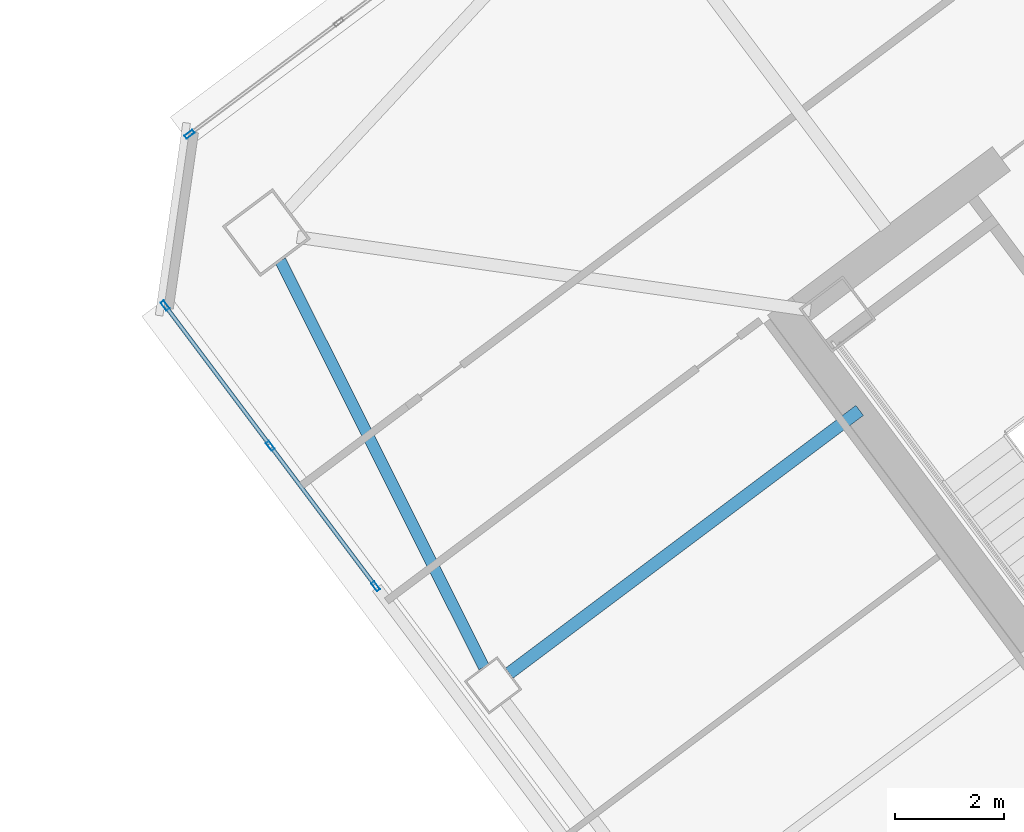
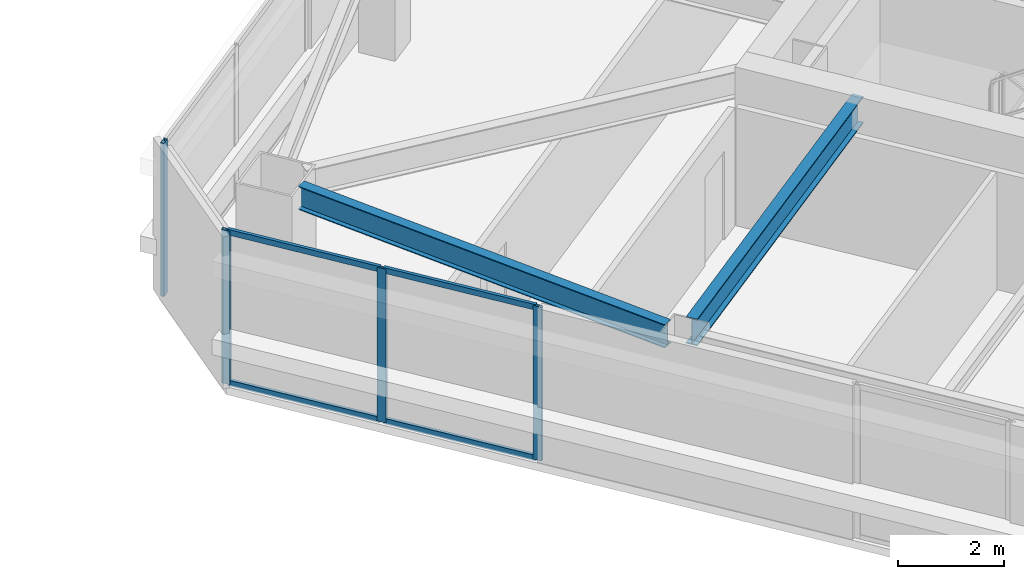
# One storey, part 22 of 44: 8 members, 2 beams, 2 elements without a shape of their own.
"""IFC4 building model written with IfcOpenShell, lengths in metres."""

from ifc_helpers import new_model, si_unit, direction, frame, origin, origin_2d, place, context, subcontext, project, spatial, hollow_rectangle, i_section, extrude, material, material_profile, profile_set, type_object, element, aggregate, save


model = new_model("IFC4")

# Units and contexts
model_context = context("Model", 3, precision=1e-05, world=origin(), true_north=direction((0.0, 1.0)))
body_context = subcontext(model_context, "Body", "Model", "MODEL_VIEW")
ifc_project = project(units=[si_unit("LENGTHUNIT", "METRE"), si_unit("AREAUNIT", "SQUARE_METRE"), si_unit("VOLUMEUNIT", "CUBIC_METRE"), si_unit("PLANEANGLEUNIT", "RADIAN"), si_unit("MASSUNIT", "GRAM", prefix="KILO")], contexts=[model_context])

# Site, building, storey
site_placement = place(None, origin())
site = spatial("IfcSite", under=ifc_project, at=site_placement, CompositionType="ELEMENT")
building_placement = place(site_placement, origin())
building = spatial("IfcBuilding", under=site, at=building_placement, Name="Tashvorn Skyway Center", CompositionType="ELEMENT")
storey_placement = place(building_placement, frame((0.0, 0.0, 181.85009765625)))
storey = spatial("IfcBuildingStorey", under=building, at=storey_placement, Name="L49", CompositionType="ELEMENT", Elevation=181.85009765625)

# Beams
ifc_material_1 = material(Name="Steel ASTM A992 Grade 50", Category="steel")
ifc_material_profile_1 = material_profile(ifc_material_1, i_section(OverallWidth=0.22998046875, OverallDepth=0.616943359375, WebThickness=0.01318359375, FlangeThickness=0.022216796875, at=origin_2d()), Name="W24X94")
ifc_profile_set_1 = profile_set([ifc_material_profile_1], Name="Steel ASTM A992 Grade 50")
beam_type_1 = type_object("IfcBeamType", Name="BM-BEAM-W24X94", PredefinedType="BEAM", material=ifc_profile_set_1)
beam_1_placement = place(storey_placement, frame((98.135986328125, 26.85205078125, 3.0615234375), z_axis=(0.799992675677, 0.60000976564, 0.0), x_axis=(-0.60000976564, 0.799992675677, 0.0)))
element("IfcBeam", 1, at=beam_1_placement, inside=storey, type_object=beam_type_1, Name="Tower 2 L49 Primary Floor Girder FC-W1", PredefinedType="BEAM", context=body_context, shape_type="SweptSolid", body=[
    extrude(i_section(OverallWidth=0.22998046875, OverallDepth=0.616943359375, WebThickness=0.01318359375, FlangeThickness=0.022216796875, at=origin_2d()), origin(), (0.0, 0.0, 1.0), 8.0),
])
ifc_material_profile_2 = material_profile(ifc_material_1, i_section(OverallWidth=0.2109375, OverallDepth=0.5390625, WebThickness=0.01171875, FlangeThickness=0.018798828125, at=origin_2d()), Name="W21X73")
ifc_profile_set_2 = profile_set([ifc_material_profile_2], Name="Steel ASTM A992 Grade 50")
beam_type_2 = type_object("IfcBeamType", Name="BM-SPANDREL-W21X73", PredefinedType="SPANDREL", material=ifc_profile_set_2)
beam_2_placement = place(storey_placement, frame((93.955078125, 34.390380859375, 3.100341796875), z_axis=(0.447648438059, -0.894209637559, 0.0), x_axis=(0.894209637559, 0.447648438059, 0.0)))
element("IfcBeam", 2, at=beam_2_placement, inside=storey, type_object=beam_type_2, Name="Tower 2 L49 Spandrel Beam 10", PredefinedType="SPANDREL", context=body_context, shape_type="SweptSolid", body=[
    extrude(i_section(OverallWidth=0.2109375, OverallDepth=0.5390625, WebThickness=0.01171875, FlangeThickness=0.018798828125, at=origin_2d()), origin(), (0.0, 0.0, 1.0), 8.308349609375),
])

# Curtain wall, members
ifc_material_2 = material(Name="Thermally broken bronze-anodized aluminium 6063-T6", Category="aluminium")
curtain_wall_type = type_object("IfcCurtainWallType", Name="CW-CW-Z4", PredefinedType="NOTDEFINED", material=ifc_material_2)
curtain_wall_1_placement = place(storey_placement, origin())
curtain_wall_1 = element("IfcCurtainWall", 3, at=curtain_wall_1_placement, inside=storey, type_object=curtain_wall_type, Name="Tower 2 L49 West Unitised Curtain Wall Glazing Group 3", PredefinedType="NOTDEFINED")
ifc_material_profile_3 = material_profile(ifc_material_2, hollow_rectangle(XDim=0.070068359375, YDim=0.179931640625, WallThickness=0.00390625, at=origin_2d()), Name="ALU-MULL-70x180")
ifc_profile_set_3 = profile_set([ifc_material_profile_3], Name="Thermally broken bronze-anodized aluminium 6063-T6")
member_type_1 = type_object("IfcMemberType", Name="CWM-CW-Z4", PredefinedType="MULLION", material=ifc_profile_set_3)
member_1_placement = place(storey_placement, frame((95.695068359375, 28.43994140625, 0.0), z_axis=(0.0, 0.0, 1.0), x_axis=(-0.799999999998, -0.600000000002, 0.0)))
member_1 = element("IfcMember", 4, at=member_1_placement, type_object=member_type_1, Name="CW-Z4 mullion 1", PredefinedType="MULLION", context=body_context, shape_type="SweptSolid", body=[
    extrude(hollow_rectangle(XDim=0.070068359375, YDim=0.179931640625, WallThickness=0.00390625, at=origin_2d()), origin(), (0.0, 0.0, 1.0), 3.5498046875),
])
member_2_placement = place(storey_placement, frame((93.77197265625, 31.00390625, 0.0), z_axis=(0.0, 0.0, 1.0), x_axis=(-0.799999999998, -0.600000000002, 0.0)))
member_2 = element("IfcMember", 5, at=member_2_placement, type_object=member_type_1, Name="CW-Z4 mullion 2", PredefinedType="MULLION", context=body_context, shape_type="SweptSolid", body=[
    extrude(hollow_rectangle(XDim=0.070068359375, YDim=0.179931640625, WallThickness=0.00390625, at=origin_2d()), origin(), (0.0, 0.0, 1.0), 3.5498046875),
])
member_3_placement = place(storey_placement, frame((91.84912109375, 33.568115234375, 0.0), z_axis=(0.0, 0.0, 1.0), x_axis=(-0.799999999998, -0.600000000002, 0.0)))
member_3 = element("IfcMember", 6, at=member_3_placement, type_object=member_type_1, Name="CW-Z4 mullion 3", PredefinedType="MULLION", context=body_context, shape_type="SweptSolid", body=[
    extrude(hollow_rectangle(XDim=0.070068359375, YDim=0.179931640625, WallThickness=0.00390625, at=origin_2d()), origin(), (0.0, 0.0, 1.0), 3.5498046875),
])

# Curtain wall, member
curtain_wall_2_placement = place(storey_placement, origin())
curtain_wall_2 = element("IfcCurtainWall", 7, at=curtain_wall_2_placement, inside=storey, type_object=curtain_wall_type, Name="Tower 2 L49 North Curtain Wall L Glazing Group 1", PredefinedType="NOTDEFINED")
member_4_placement = place(storey_placement, frame((92.2958984375, 36.697021484375, 0.0), z_axis=(0.0, 0.0, 1.0), x_axis=(-0.60000232334, 0.79999825749, 0.0)))
member_4 = element("IfcMember", 8, at=member_4_placement, type_object=member_type_1, Name="CW-Z4 mullion 1", PredefinedType="MULLION", context=body_context, shape_type="SweptSolid", body=[
    extrude(hollow_rectangle(XDim=0.070068359375, YDim=0.179931640625, WallThickness=0.00390625, at=origin_2d()), origin(), (0.0, 0.0, 1.0), 3.5498046875),
])
aggregate(curtain_wall_2, [member_4])

# Member
ifc_material_profile_4 = material_profile(ifc_material_2, hollow_rectangle(XDim=0.070068359375, YDim=0.1298828125, WallThickness=0.00390625, at=origin_2d()), Name="ALU-TRAN-70x130")
ifc_profile_set_4 = profile_set([ifc_material_profile_4], Name="Thermally broken bronze-anodized aluminium 6063-T6")
member_type_2 = type_object("IfcMemberType", Name="CWT-CW-Z4", PredefinedType="USERDEFINED", material=ifc_profile_set_4)
member_5_placement = place(storey_placement, frame((95.674072265625, 28.468017578125, 0.034912109375), z_axis=(-0.600012459628, 0.799990655127, 0.0), x_axis=(-0.799990655127, -0.600012459628, 0.0)))
member_5 = element("IfcMember", 9, at=member_5_placement, type_object=member_type_2, Name="CW-Z4 transom 1.1", ObjectType="TRANSOM", PredefinedType="USERDEFINED", context=body_context, shape_type="SweptSolid", body=[
    extrude(hollow_rectangle(XDim=0.070068359375, YDim=0.1298828125, WallThickness=0.00390625, at=origin_2d()), origin(), (0.0, 0.0, 1.0), 3.135009765625),
])

member_6_placement = place(storey_placement, frame((95.674072265625, 28.468017578125, 3.514892578125), z_axis=(-0.600012459628, 0.799990655127, 0.0), x_axis=(-0.799990655127, -0.600012459628, 0.0)))
member_6 = element("IfcMember", 10, at=member_6_placement, type_object=member_type_2, Name="CW-Z4 transom 1.2", ObjectType="TRANSOM", PredefinedType="USERDEFINED", context=body_context, shape_type="SweptSolid", body=[
    extrude(hollow_rectangle(XDim=0.070068359375, YDim=0.1298828125, WallThickness=0.00390625, at=origin_2d()), origin(), (0.0, 0.0, 1.0), 3.135009765625),
])

member_7_placement = place(storey_placement, frame((93.7509765625, 31.031982421875, 0.034912109375), z_axis=(-0.599962618496, 0.800028034763, 0.0), x_axis=(-0.800028034763, -0.599962618496, 0.0)))
member_7 = element("IfcMember", 11, at=member_7_placement, type_object=member_type_2, Name="CW-Z4 transom 2.1", ObjectType="TRANSOM", PredefinedType="USERDEFINED", context=body_context, shape_type="SweptSolid", body=[
    extrude(hollow_rectangle(XDim=0.070068359375, YDim=0.1298828125, WallThickness=0.00390625, at=origin_2d()), origin(), (0.0, 0.0, 1.0), 3.135009765625),
])

member_8_placement = place(storey_placement, frame((93.7509765625, 31.031982421875, 3.514892578125), z_axis=(-0.599962618496, 0.800028034763, 0.0), x_axis=(-0.800028034763, -0.599962618496, 0.0)))
member_8 = element("IfcMember", 12, at=member_8_placement, type_object=member_type_2, Name="CW-Z4 transom 2.2", ObjectType="TRANSOM", PredefinedType="USERDEFINED", context=body_context, shape_type="SweptSolid", body=[
    extrude(hollow_rectangle(XDim=0.070068359375, YDim=0.1298828125, WallThickness=0.00390625, at=origin_2d()), origin(), (0.0, 0.0, 1.0), 3.135009765625),
])

aggregate(curtain_wall_1, [member_1, member_2, member_3, member_5, member_6, member_7, member_8])

save(model, "model.ifc")
